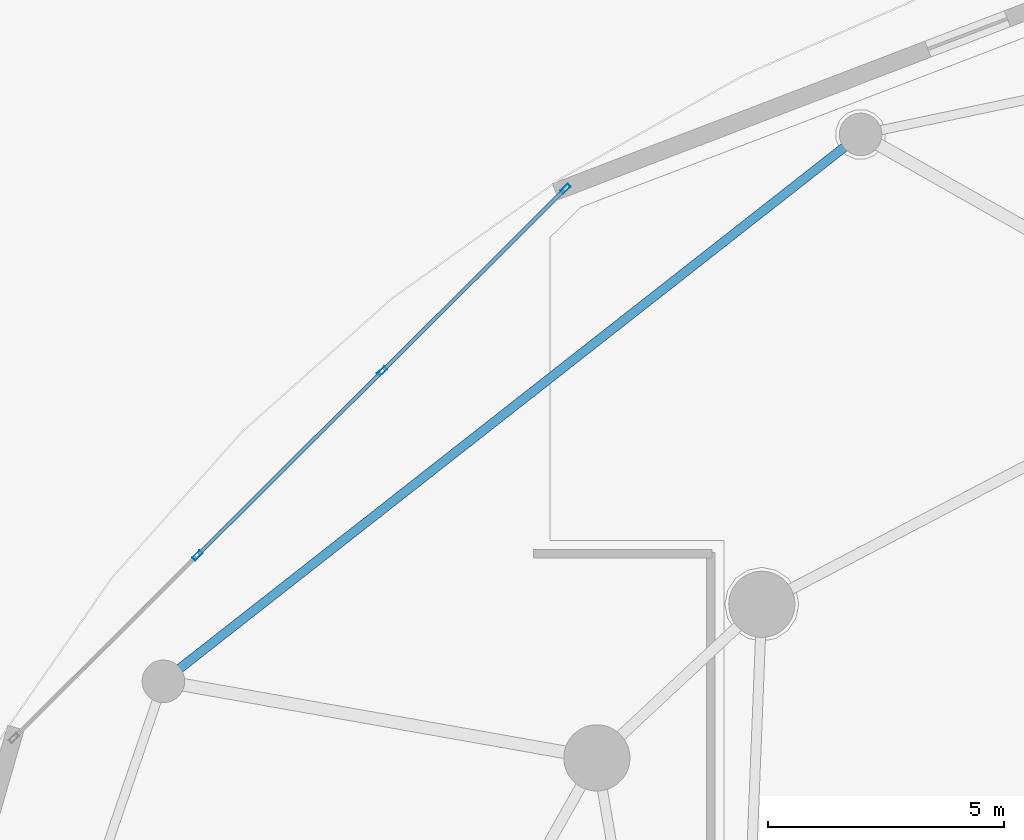
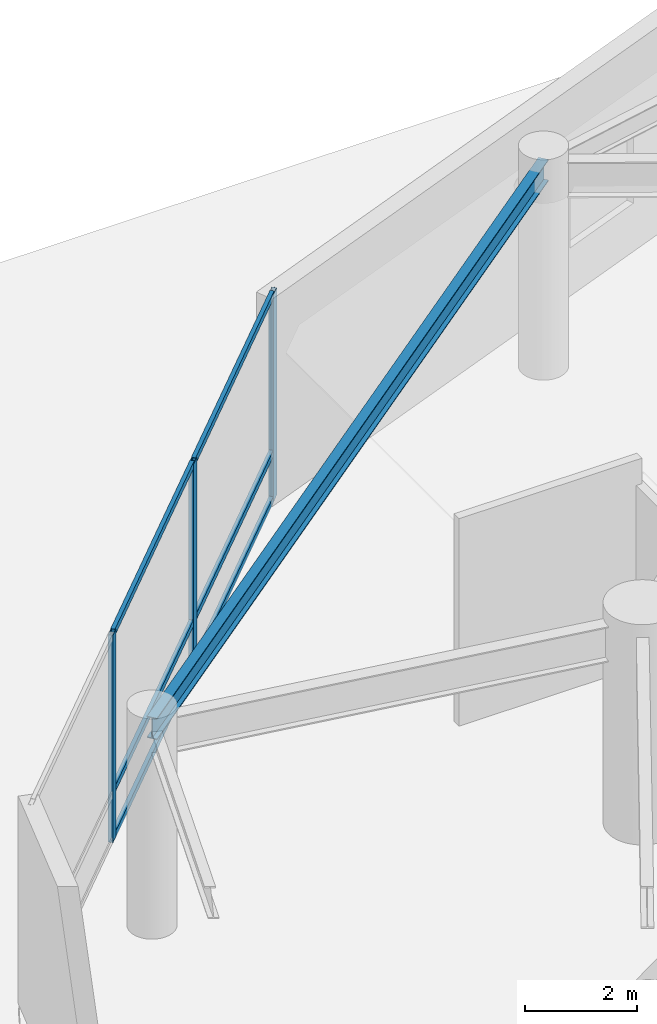
# One storey, part 8 of 35: 9 members, 1 beam, 1 element without a shape of its own.
"""IFC4 building model written with IfcOpenShell, lengths in metres."""

from ifc_helpers import new_model, si_unit, direction, frame, origin, origin_2d, place, context, subcontext, project, spatial, hollow_rectangle, i_section, extrude, material, layer, layer_set, material_profile, profile_set, type_object, element, aggregate, save


model = new_model("IFC4")

# Units and contexts
model_context = context("Model", 3, precision=1e-05, world=origin(), true_north=direction((0.0, 1.0)))
body_context = subcontext(model_context, "Body", "Model", "MODEL_VIEW")
ifc_project = project(units=[si_unit("LENGTHUNIT", "METRE"), si_unit("AREAUNIT", "SQUARE_METRE"), si_unit("VOLUMEUNIT", "CUBIC_METRE"), si_unit("PLANEANGLEUNIT", "RADIAN"), si_unit("MASSUNIT", "GRAM", prefix="KILO")], contexts=[model_context])

# Site, building, storey
site_placement = place(None, origin())
site = spatial("IfcSite", under=ifc_project, at=site_placement, CompositionType="ELEMENT")
building_placement = place(site_placement, origin())
building = spatial("IfcBuilding", under=site, at=building_placement, Name="Kazevale Care Tower and Concert Hall", CompositionType="ELEMENT")
storey_placement = place(building_placement, origin())
storey = spatial("IfcBuildingStorey", under=building, at=storey_placement, Name="L00", CompositionType="ELEMENT", Elevation=0.0)

# Curtain wall, members
ifc_material_1 = material(Name="Aluminium 6063-T6 and Low-E Glass", Category="aluminium")
ifc_layer = layer(ifc_material_1, 0.179931640625)
ifc_layer_set = layer_set([ifc_layer], Name="Aluminium 6063-T6 and Low-E Glass")
curtain_wall_type = type_object("IfcCurtainWallType", Name="Podium Double-Skin Medical Curtain Wall CW-1", PredefinedType="NOTDEFINED", material=ifc_layer_set)
curtain_wall_placement = place(storey_placement, origin())
curtain_wall = element("IfcCurtainWall", 1, at=curtain_wall_placement, inside=storey, type_object=curtain_wall_type, Name="cw:L00:pod:06", PredefinedType="NOTDEFINED")
ifc_material_2 = material(Name="Aluminium 6063-T6", Category="aluminium")
ifc_material_profile_1 = material_profile(ifc_material_2, hollow_rectangle(XDim=0.090087890625, YDim=0.219970703125, WallThickness=0.0048828125, at=origin_2d()), Name="ALU90x220x5")
ifc_profile_set_1 = profile_set([ifc_material_profile_1], Name="Aluminium 6063-T6")
member_type_1 = type_object("IfcMemberType", Name="CW-1 Mullion ALU90x220x5", PredefinedType="MULLION", material=ifc_profile_set_1)
member_1_placement = place(storey_placement, frame((18.607177734375, 64.22216796875, 0.0), z_axis=(0.0, 0.0, 1.0), x_axis=(0.705655814257, -0.708554776856, 0.0)))
member_1 = element("IfcMember", 2, at=member_1_placement, type_object=member_type_1, Name="CW-1 mullion 1", PredefinedType="MULLION", context=body_context, shape_type="SweptSolid", body=[
    extrude(hollow_rectangle(XDim=0.090087890625, YDim=0.219970703125, WallThickness=0.0048828125, at=origin_2d()), origin(), (0.0, 0.0, 1.0), 4.52001953125),
])
member_2_placement = place(storey_placement, frame((14.728271484375, 60.359375, 0.0), z_axis=(0.0, 0.0, 1.0), x_axis=(0.705655814257, -0.708554776856, 0.0)))
member_2 = element("IfcMember", 3, at=member_2_placement, type_object=member_type_1, Name="CW-1 mullion 2", PredefinedType="MULLION", context=body_context, shape_type="SweptSolid", body=[
    extrude(hollow_rectangle(XDim=0.090087890625, YDim=0.219970703125, WallThickness=0.0048828125, at=origin_2d()), origin(), (0.0, 0.0, 1.0), 4.52001953125),
])
member_3_placement = place(storey_placement, frame((10.817626953125, 56.464599609375, 0.0), z_axis=(0.0, 0.0, 1.0), x_axis=(0.705655814257, -0.708554776856, 0.0)))
member_3 = element("IfcMember", 4, at=member_3_placement, type_object=member_type_1, Name="CW-1 mullion 3", PredefinedType="MULLION", context=body_context, shape_type="SweptSolid", body=[
    extrude(hollow_rectangle(XDim=0.090087890625, YDim=0.219970703125, WallThickness=0.0048828125, at=origin_2d()), origin(), (0.0, 0.0, 1.0), 4.52001953125),
])
ifc_material_profile_2 = material_profile(ifc_material_2, hollow_rectangle(XDim=0.080078125, YDim=0.139892578125, WallThickness=0.00390625, at=origin_2d()), Name="ALU80x140x4")
ifc_profile_set_2 = profile_set([ifc_material_profile_2], Name="Aluminium 6063-T6")
member_type_2 = type_object("IfcMemberType", Name="CW-1 Transom ALU80x140x4", PredefinedType="USERDEFINED", material=ifc_profile_set_2)
member_4_placement = place(storey_placement, frame((18.5751953125, 64.1904296875, 0.0400390625), z_axis=(-0.708556322862, -0.705654261896, 0.0), x_axis=(0.705654261896, -0.708556322862, 0.0)))
member_4 = element("IfcMember", 5, at=member_4_placement, type_object=member_type_2, Name="CW-1 transom 1.1", ObjectType="TRANSOM", PredefinedType="USERDEFINED", context=body_context, shape_type="SweptSolid", body=[
    extrude(hollow_rectangle(XDim=0.080078125, YDim=0.139892578125, WallThickness=0.00390625, at=origin_2d()), origin(), (0.0, 0.0, 1.0), 5.384033203125),
])
member_5_placement = place(storey_placement, frame((18.5751953125, 64.1904296875, 1.050048828125), z_axis=(-0.708556322862, -0.705654261896, 0.0), x_axis=(0.705654261896, -0.708556322862, 0.0)))
member_5 = element("IfcMember", 6, at=member_5_placement, type_object=member_type_2, Name="CW-1 transom 1.2", ObjectType="TRANSOM", PredefinedType="USERDEFINED", context=body_context, shape_type="SweptSolid", body=[
    extrude(hollow_rectangle(XDim=0.080078125, YDim=0.139892578125, WallThickness=0.00390625, at=origin_2d()), origin(), (0.0, 0.0, 1.0), 5.384033203125),
])
member_6_placement = place(storey_placement, frame((18.5751953125, 64.1904296875, 4.47998046875), z_axis=(-0.708556322862, -0.705654261896, 0.0), x_axis=(0.705654261896, -0.708556322862, 0.0)))
member_6 = element("IfcMember", 7, at=member_6_placement, type_object=member_type_2, Name="CW-1 transom 1.3", ObjectType="TRANSOM", PredefinedType="USERDEFINED", context=body_context, shape_type="SweptSolid", body=[
    extrude(hollow_rectangle(XDim=0.080078125, YDim=0.139892578125, WallThickness=0.00390625, at=origin_2d()), origin(), (0.0, 0.0, 1.0), 5.384033203125),
])
member_7_placement = place(storey_placement, frame((14.696533203125, 60.32763671875, 0.0400390625), z_axis=(-0.708544259539, -0.705666374624, 0.0), x_axis=(0.705666374624, -0.708544259539, 0.0)))
member_7 = element("IfcMember", 8, at=member_7_placement, type_object=member_type_2, Name="CW-1 transom 2.1", ObjectType="TRANSOM", PredefinedType="USERDEFINED", context=body_context, shape_type="SweptSolid", body=[
    extrude(hollow_rectangle(XDim=0.080078125, YDim=0.139892578125, WallThickness=0.00390625, at=origin_2d()), origin(), (0.0, 0.0, 1.0), 5.429443359375),
])
member_8_placement = place(storey_placement, frame((14.696533203125, 60.32763671875, 1.050048828125), z_axis=(-0.708544259539, -0.705666374624, 0.0), x_axis=(0.705666374624, -0.708544259539, 0.0)))
member_8 = element("IfcMember", 9, at=member_8_placement, type_object=member_type_2, Name="CW-1 transom 2.2", ObjectType="TRANSOM", PredefinedType="USERDEFINED", context=body_context, shape_type="SweptSolid", body=[
    extrude(hollow_rectangle(XDim=0.080078125, YDim=0.139892578125, WallThickness=0.00390625, at=origin_2d()), origin(), (0.0, 0.0, 1.0), 5.429443359375),
])
member_9_placement = place(storey_placement, frame((14.696533203125, 60.32763671875, 4.47998046875), z_axis=(-0.708544259539, -0.705666374624, 0.0), x_axis=(0.705666374624, -0.708544259539, 0.0)))
member_9 = element("IfcMember", 10, at=member_9_placement, type_object=member_type_2, Name="CW-1 transom 2.3", ObjectType="TRANSOM", PredefinedType="USERDEFINED", context=body_context, shape_type="SweptSolid", body=[
    extrude(hollow_rectangle(XDim=0.080078125, YDim=0.139892578125, WallThickness=0.00390625, at=origin_2d()), origin(), (0.0, 0.0, 1.0), 5.429443359375),
])
aggregate(curtain_wall, [member_1, member_2, member_3, member_4, member_5, member_6, member_7, member_8, member_9])

# Beam
ifc_material_3 = material(Name="Steel ASTM A572 Gr 50", Category="steel")
ifc_material_profile_3 = material_profile(ifc_material_3, i_section(OverallWidth=0.194091796875, OverallDepth=0.468994140625, WebThickness=0.0126953125, FlangeThickness=0.0205078125, at=origin_2d()), Name="W460x106")
ifc_profile_set_3 = profile_set([ifc_material_profile_3], Name="Steel ASTM A572 Gr 50")
beam_type = type_object("IfcBeamType", Name="Podium Floor Beam W460x106", PredefinedType="BEAM", material=ifc_profile_set_3)
beam_placement = place(storey_placement, frame((24.85009765625, 65.3701171875, 4.285400390625), z_axis=(-0.786816091325, -0.617187522907, 0.0), x_axis=(0.617187522907, -0.786816091325, 0.0)))
element("IfcBeam", 11, at=beam_placement, inside=storey, type_object=beam_type, Name="beam:L00:podring:05", PredefinedType="BEAM", context=body_context, shape_type="SweptSolid", body=[
    extrude(i_section(OverallWidth=0.194091796875, OverallDepth=0.468994140625, WebThickness=0.0126953125, FlangeThickness=0.0205078125, at=origin_2d()), origin(), (0.0, 0.0, 1.0), 18.746337890625),
])

save(model, "model.ifc")
